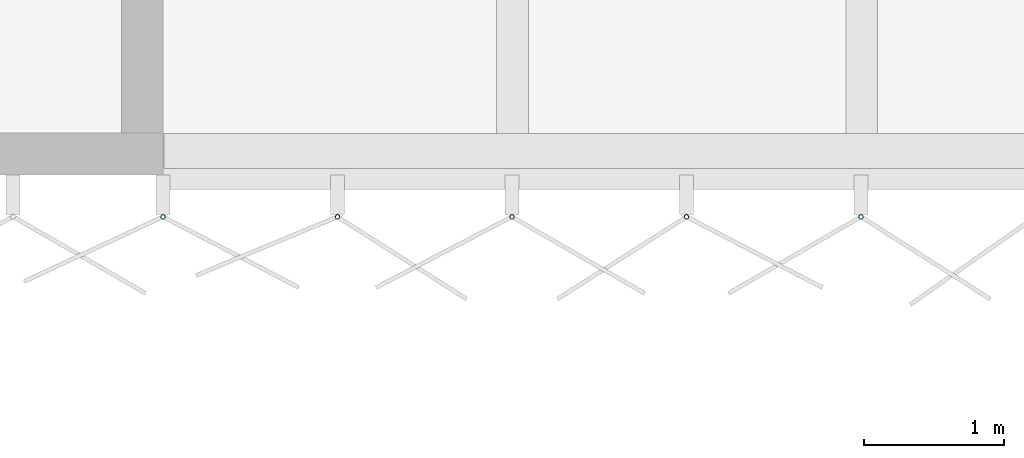
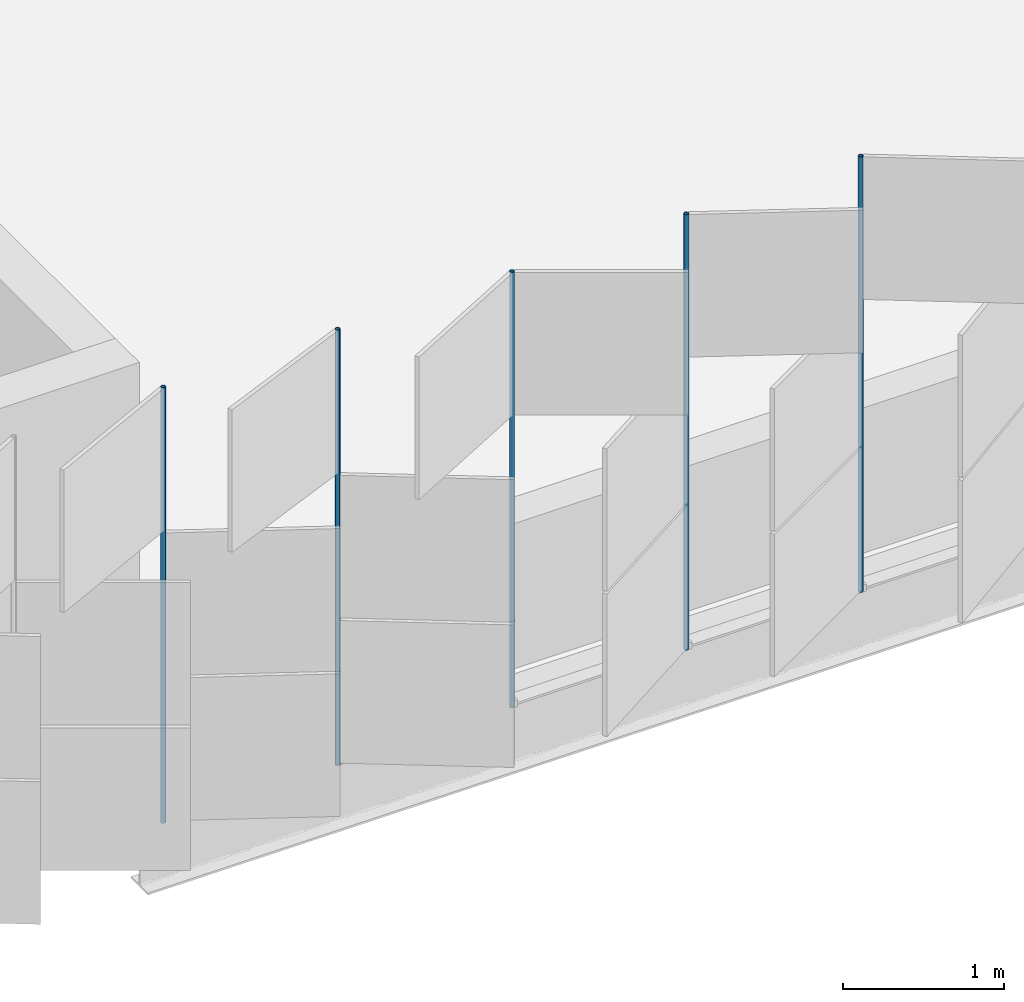
# One storey, part 104 of 198: 5 discrete accessories.
"""IFC4 building model written with IfcOpenShell, lengths in metres."""

from ifc_helpers import new_model, si_unit, direction, frame, origin, origin_2d, place, context, subcontext, project, spatial, hollow_circle, extrude, material, material_profile, profile_set, type_object, element, save


model = new_model("IFC4")

# Units and contexts
model_context = context("Model", 3, precision=1e-05, world=origin(), true_north=direction((0.0, 1.0)))
body_context = subcontext(model_context, "Body", "Model", "MODEL_VIEW")
ifc_project = project(units=[si_unit("LENGTHUNIT", "METRE"), si_unit("AREAUNIT", "SQUARE_METRE"), si_unit("VOLUMEUNIT", "CUBIC_METRE"), si_unit("PLANEANGLEUNIT", "RADIAN"), si_unit("MASSUNIT", "GRAM", prefix="KILO")], contexts=[model_context])

# Site, building, storey
site_placement = place(None, origin())
site = spatial("IfcSite", under=ifc_project, at=site_placement, CompositionType="ELEMENT")
building_placement = place(site_placement, origin())
building = spatial("IfcBuilding", under=site, at=building_placement, Name="Parallax Yard Mobility Hub", CompositionType="ELEMENT")
storey_placement = place(building_placement, frame((0.0, 0.0, 6.60009765625)))
storey = spatial("IfcBuildingStorey", under=building, at=storey_placement, Name="L02", CompositionType="ELEMENT", Elevation=6.60009765625)

# Discrete accessories
ifc_material = material(Name="Steel ASTM A500 Gr C, hot-dip galvanised", Category="steel")
ifc_material_profile = material_profile(ifc_material, hollow_circle(Radius=0.016845703125, WallThickness=0.003173828125, at=origin_2d()), Name="CHS 33.7x3.2")
ifc_profile_set = profile_set([ifc_material_profile], Name="Steel ASTM A500 Gr C, hot-dip galvanised")
discrete_accessory_type = type_object("IfcDiscreteAccessoryType", Name="Hinge post CHS 33.7x3.2", PredefinedType="BRACKET", material=ifc_profile_set)
for number, where, z_axis, x_axis, name in (
    (1, (142.498046875, 112.199951171875, 0.0), (0.0, 0.0, 1.0), (1.0, 0.0, 0.0), "Hinge post bay 14.1 level L02"),
    (2, (143.747314453125, 112.199951171875, 0.0), (0.0, 0.0, 1.0), (1.0, 0.0, 0.0), "Hinge post bay 14.2 level L02"),
    (3, (144.99658203125, 112.199951171875, 0.0), (0.0, 0.0, 1.0), (1.0, 0.0, 0.0), "Hinge post bay 14.3 level L02"),
    (4, (146.245849609375, 112.199951171875, 0.0), (0.0, 0.0, 1.0), (1.0, 0.0, 0.0), "Hinge post bay 14.4 level L02"),
    (5, (147.4951171875, 112.199951171875, 0.0), (0.0, 0.0, 1.0), (1.0, 0.0, 0.0), "Hinge post bay 14.5 level L02"),
):
    element("IfcDiscreteAccessory", number, at=place(storey_placement, frame(where, z_axis=z_axis, x_axis=x_axis)), inside=storey, type_object=discrete_accessory_type, Name=name, PredefinedType="BRACKET", context=body_context, shape_type="SweptSolid", body=[
        extrude(hollow_circle(Radius=0.016845703125, WallThickness=0.003173828125, at=origin_2d()), origin(), (0.0, 0.0, 1.0), 3.2998046875),
    ])

save(model, "model.ifc")
